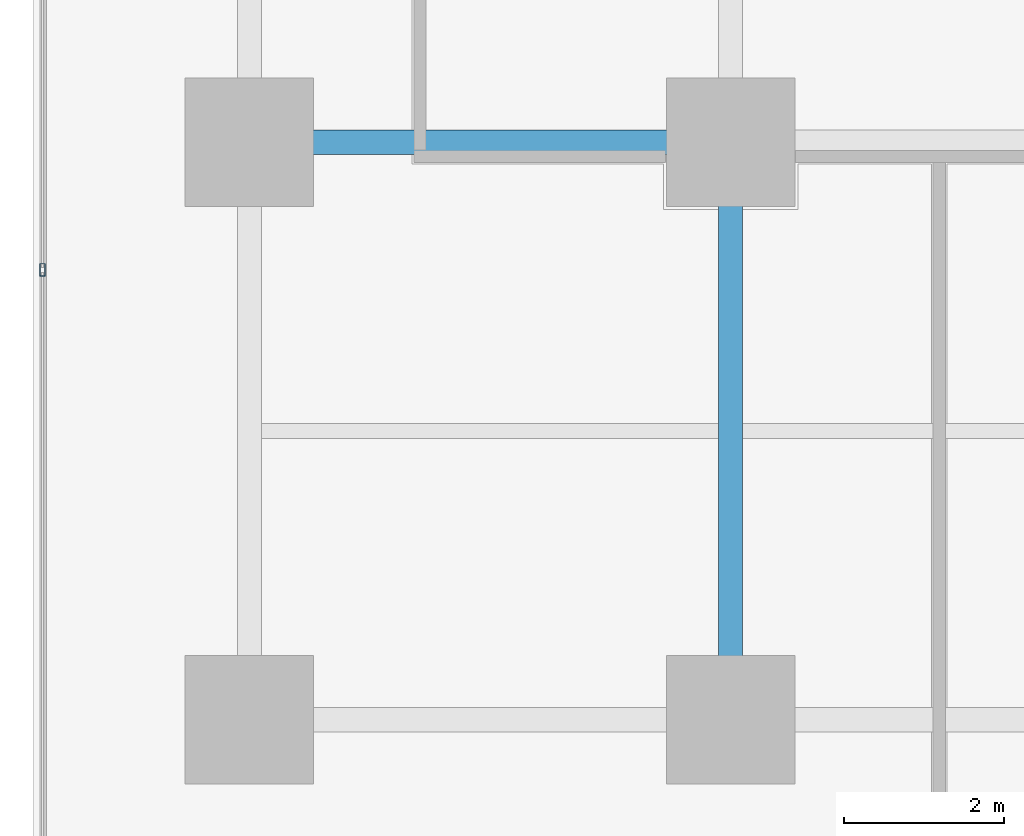
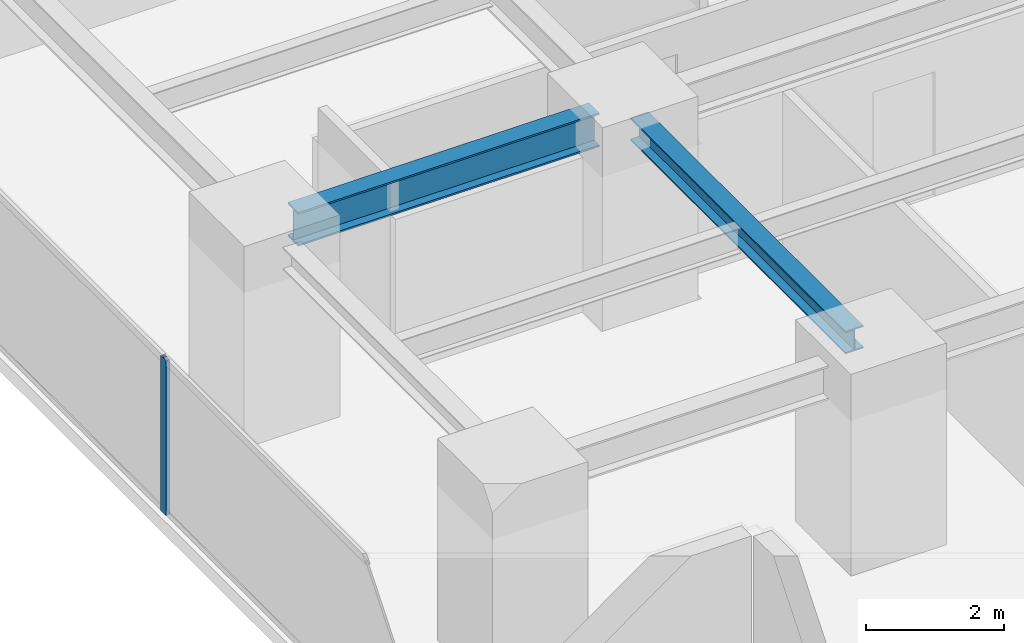
# One storey, part 4 of 36: 2 beams, 1 member, 1 element without a shape of its own.
"""IFC4 building model written with IfcOpenShell, lengths in metres."""

from ifc_helpers import new_model, si_unit, direction, frame, origin, origin_2d, place, context, subcontext, project, spatial, hollow_rectangle, i_section, extrude, source, transform, mapped, material, layer, layer_set, material_profile, profile_set, type_object, element, aggregate, save


model = new_model("IFC4")

# Units and contexts
model_context = context("Model", 3, precision=1e-05, world=origin(), true_north=direction((0.0, 1.0)))
body_context = subcontext(model_context, "Body", "Model", "MODEL_VIEW")
ifc_project = project(units=[si_unit("LENGTHUNIT", "METRE"), si_unit("AREAUNIT", "SQUARE_METRE"), si_unit("VOLUMEUNIT", "CUBIC_METRE"), si_unit("PLANEANGLEUNIT", "RADIAN"), si_unit("MASSUNIT", "GRAM", prefix="KILO")], contexts=[model_context])

# Site, building, storey
site_placement = place(None, origin())
site = spatial("IfcSite", under=ifc_project, at=site_placement, CompositionType="ELEMENT")
building_placement = place(site_placement, origin())
building = spatial("IfcBuilding", under=site, at=building_placement, Name="Sumidabori Civic Tower", CompositionType="ELEMENT")
storey_placement = place(building_placement, frame((0.0, 0.0, 92.0)))
storey = spatial("IfcBuildingStorey", under=building, at=storey_placement, Name="L23", CompositionType="ELEMENT", Elevation=92.0)

# Beams
ifc_material_1 = material(Name="Steel SN490", Category="steel")
ifc_material_profile_1 = material_profile(ifc_material_1, i_section(OverallWidth=0.300048828125, OverallDepth=0.60009765625, WebThickness=0.015380859375, FlangeThickness=0.030029296875, at=origin_2d()), Name="HE 600 B")
ifc_profile_set_1 = profile_set([ifc_material_profile_1], Name="Steel SN490")
beam_type_1 = type_object("IfcBeamType", Name="BM-GIRD-600", PredefinedType="BEAM", material=ifc_profile_set_1)
shared_shape_1 = source(origin(), body_context, "Body", "SweptSolid", [
    extrude(i_section(OverallWidth=0.300048828125, OverallDepth=0.60009765625, WebThickness=0.015380859375, FlangeThickness=0.030029296875, at=origin_2d()), origin(), (0.0, 0.0, 1.0), 5.0400390625),
])
beam_1_placement = place(storey_placement, frame((-22.320068359375, -10.800048828125, 3.06005859375), z_axis=(1.0, 0.0, 0.0), x_axis=(0.0, 1.0, 0.0)))
element("IfcBeam", 1, at=beam_1_placement, inside=storey, type_object=beam_type_1, Name="Primary Girder L23 GX-07", PredefinedType="BEAM", context=body_context, shape_type="MappedRepresentation", body=[
    mapped(shared_shape_1, transform((0.0, 0.0, 0.0), x_axis=(1.0, 0.0, 0.0), y_axis=(0.0, 1.0, 0.0), z_axis=(0.0, 0.0, 1.0), scale=1.0)),
])
ifc_material_profile_2 = material_profile(ifc_material_1, i_section(OverallWidth=0.300048828125, OverallDepth=0.39990234375, WebThickness=0.013427734375, FlangeThickness=0.02392578125, at=origin_2d()), Name="HE 400 B")
ifc_profile_set_2 = profile_set([ifc_material_profile_2], Name="Steel SN490")
beam_type_2 = type_object("IfcBeamType", Name="BM-GIRD-400", PredefinedType="BEAM", material=ifc_profile_set_2)
shared_shape_2 = source(origin(), body_context, "Body", "SweptSolid", [
    extrude(i_section(OverallWidth=0.300048828125, OverallDepth=0.39990234375, WebThickness=0.013427734375, FlangeThickness=0.02392578125, at=origin_2d()), origin(), (0.0, 0.0, 1.0), 6.239990234375),
])
beam_2_placement = place(storey_placement, frame((-16.800048828125, -17.52001953125, 3.159912109375), z_axis=(0.0, 1.0, 0.0), x_axis=(-1.0, 0.0, 0.0)))
element("IfcBeam", 2, at=beam_2_placement, inside=storey, type_object=beam_type_2, Name="Primary Girder L23 GY-25", PredefinedType="BEAM", context=body_context, shape_type="MappedRepresentation", body=[
    mapped(shared_shape_2, transform((0.0, 0.0, 0.0), x_axis=(1.0, 0.0, 0.0), y_axis=(0.0, 1.0, 0.0), z_axis=(0.0, 0.0, 1.0), scale=1.0)),
])

# Curtain wall, member
ifc_material_2 = material(Name="Anodised Bronze Aluminium AW-6063-T6", Category="aluminium")
ifc_layer = layer(ifc_material_2, 0.179931640625, Name="Anodised Bronze Aluminium AW-6063-T6")
ifc_layer_set = layer_set([ifc_layer], Name="Anodised Bronze Aluminium AW-6063-T6")
curtain_wall_type = type_object("IfcCurtainWallType", Name="CW-SYS-3", PredefinedType="NOTDEFINED", material=ifc_layer_set)
curtain_wall_placement = place(storey_placement, origin())
curtain_wall = element("IfcCurtainWall", 3, at=curtain_wall_placement, inside=storey, type_object=curtain_wall_type, Name="Curtain Wall CW:L23:R10", PredefinedType="NOTDEFINED")
ifc_material_profile_3 = material_profile(ifc_material_2, hollow_rectangle(XDim=0.06494140625, YDim=0.159912109375, WallThickness=0.0048828125, at=origin_2d()), Name="ALU MULLION 160x65")
ifc_profile_set_3 = profile_set([ifc_material_profile_3], Name="Anodised Bronze Aluminium AW-6063-T6")
member_type = type_object("IfcMemberType", Name="CW-MUL-160", PredefinedType="MULLION", material=ifc_profile_set_3)
shared_shape_3 = source(origin(), body_context, "Body", "SweptSolid", [
    extrude(hollow_rectangle(XDim=0.06494140625, YDim=0.159912109375, WallThickness=0.0048828125, at=origin_2d()), origin(), (0.0, 0.0, 1.0), 2.739990234375),
])
member_placement = place(storey_placement, frame((-25.3798828125, -12.39208984375, 0.0), z_axis=(0.0, 0.0, 1.0), x_axis=(1.0, 0.0, 0.0)))
member = element("IfcMember", 4, at=member_placement, type_object=member_type, Name="CW-3 mullion 5", PredefinedType="MULLION", context=body_context, shape_type="MappedRepresentation", body=[
    mapped(shared_shape_3, transform((0.0, 0.0, 0.0), x_axis=(1.0, 0.0, 0.0), y_axis=(0.0, 1.0, 0.0), z_axis=(0.0, 0.0, 1.0), scale=1.0)),
])
aggregate(curtain_wall, [member])

save(model, "model.ifc")
